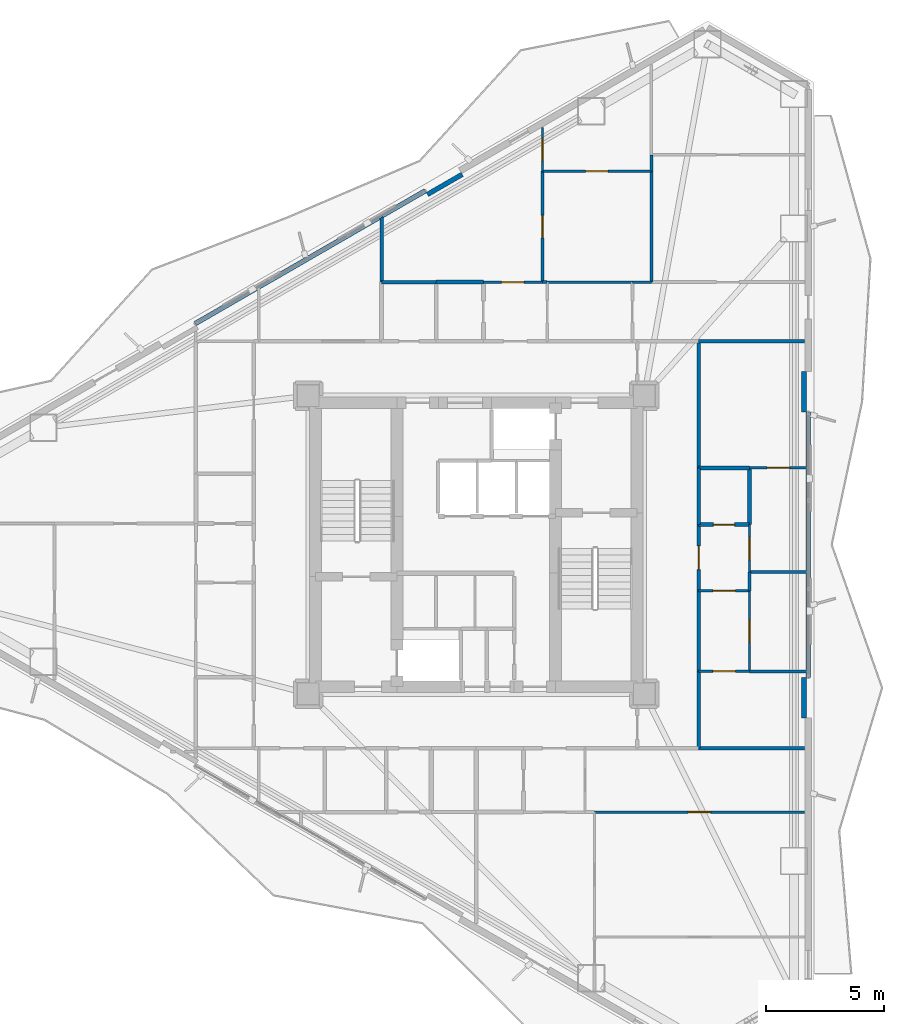
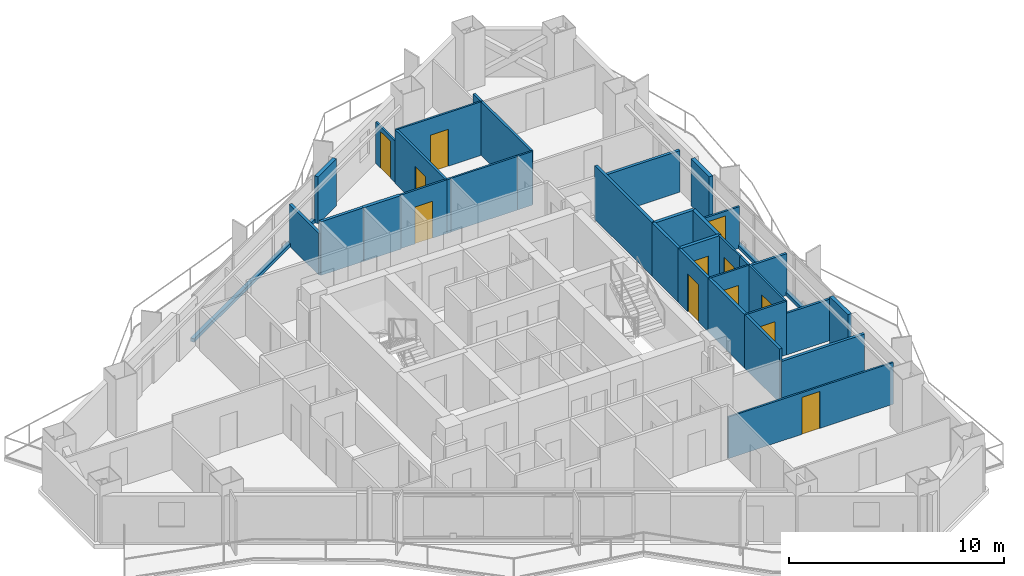
# One storey, part 19 of 23: 36 walls, 12 doors, 12 openings.
"""IFC4 building model written with IfcOpenShell, lengths in metres."""

from ifc_helpers import new_model, si_unit, direction, frame, frame_2d, origin, place, context, subcontext, project, spatial, rectangle, extrude, material, layer, layer_set, type_object, element, fill, save


model = new_model("IFC4")

# Units and contexts
model_context = context("Model", 3, precision=1e-05, world=origin(), true_north=direction((0.0, 1.0)))
body_context = subcontext(model_context, "Body", "Model", "MODEL_VIEW")
ifc_project = project(units=[si_unit("LENGTHUNIT", "METRE"), si_unit("AREAUNIT", "SQUARE_METRE"), si_unit("VOLUMEUNIT", "CUBIC_METRE"), si_unit("PLANEANGLEUNIT", "RADIAN"), si_unit("MASSUNIT", "GRAM", prefix="KILO")], contexts=[model_context])

# Site, building, storey
site_placement = place(None, origin())
site = spatial("IfcSite", under=ifc_project, at=site_placement, CompositionType="ELEMENT")
building_placement = place(site_placement, origin())
building = spatial("IfcBuilding", under=site, at=building_placement, Name="Mersakhor Tower and Convention Hall", CompositionType="ELEMENT")
storey_placement = place(building_placement, frame((0.0, 0.0, 73.5)))
storey = spatial("IfcBuildingStorey", under=building, at=storey_placement, Name="L19", CompositionType="ELEMENT", Elevation=73.5)

# Walls
ifc_material_1 = material(Name="Precast concrete C40/50", Category="concrete")
ifc_layer_1 = layer(ifc_material_1, 0.199951171875)
ifc_layer_set_1 = layer_set([ifc_layer_1], Name="Precast concrete C40/50")
wall_type_1 = type_object("IfcWallType", Name="WL-PAR-200", PredefinedType="PARAPET", material=ifc_layer_set_1)
wall_1_placement = place(storey_placement, frame((17.1201171875, 36.096923828125, 0.0), z_axis=(0.0, 0.0, 1.0), x_axis=(0.866027010039, 0.499997217876, 0.0)))
element("IfcWall", 1, at=wall_1_placement, inside=storey, type_object=wall_type_1, Name="L19 Curtain Wall Upstand Sill F1-B2", PredefinedType="PARAPET", context=body_context, shape_type="SweptSolid", body=[
    extrude(rectangle(XDim=11.2294921875, YDim=0.199951171875, at=frame_2d((5.61474609375, 0.0))), origin(), (0.0, 0.0, 1.0), 0.199951171875),
])
wall_2_placement = place(storey_placement, frame((26.935302734375, 41.555908203125, 0.0), z_axis=(0.0, 0.0, 1.0), x_axis=(0.86605165483, 0.499954529098, 0.0)))
element("IfcWall", 2, at=wall_2_placement, inside=storey, type_object=wall_type_1, Name="L19 Column Pier Cladding Wall F1-C2", PredefinedType="PARAPET", context=body_context, shape_type="SweptSolid", body=[
    extrude(rectangle(XDim=1.699951171875, YDim=0.199951171875, at=frame_2d((0.85009765625, 0.0))), origin(), (0.0, 0.0, 1.0), 2.669921875),
])
wall_3_placement = place(storey_placement, frame((43.03466796875, 32.36474609375, 0.0), z_axis=(0.0, 0.0, 1.0), x_axis=(0.0, -1.0, 0.0)))
element("IfcWall", 3, at=wall_3_placement, inside=storey, type_object=wall_type_1, Name="L19 Curtain Wall Upstand Sill F2-B2", PredefinedType="PARAPET", context=body_context, shape_type="SweptSolid", body=[
    extrude(rectangle(XDim=11.2294921875, YDim=0.199951171875, at=frame_2d((5.61474609375, 0.0))), origin(), (0.0, 0.0, 1.0), 0.199951171875),
])
for number, where, z_axis, x_axis, name in (
    (4, (42.8544921875, 34.064697265625, 0.0), (0.0, 0.0, 1.0), (0.0, -1.0, 0.0), "L19 Column Pier Cladding Wall F2-C1"),
    (5, (42.8544921875, 21.13525390625, 0.0), (0.0, 0.0, 1.0), (0.0, -1.0, 0.0), "L19 Column Pier Cladding Wall F2-C2"),
):
    element("IfcWall", number, at=place(storey_placement, frame(where, z_axis=z_axis, x_axis=x_axis)), inside=storey, type_object=wall_type_1, Name=name, PredefinedType="PARAPET", context=body_context, shape_type="SweptSolid", body=[
        extrude(rectangle(XDim=1.699951171875, YDim=0.199951171875, at=frame_2d((0.85009765625, 0.0))), origin(), (0.0, 0.0, 1.0), 2.669921875),
    ])

# Wall, opening, door
ifc_material_2 = material(Name="Moisture-resistant acoustic drywall studwork", Category="other")
ifc_layer_2 = layer(ifc_material_2, 0.175048828125)
ifc_layer_set_2 = layer_set([ifc_layer_2], Name="Moisture-resistant acoustic drywall studwork")
wall_type_2 = type_object("IfcWallType", Name="WL-PLM-175", PredefinedType="PLUMBINGWALL", material=ifc_layer_set_2)
wall_4_placement = place(storey_placement, frame((38.39990234375, 27.60009765625, 0.0), z_axis=(0.0, 0.0, 1.0), x_axis=(1.0, 0.0, 0.0)))
wall_4 = element("IfcWall", 6, at=wall_4_placement, inside=storey, type_object=wall_type_2, Name="L19 Interior Partition Wall P-079", PredefinedType="PLUMBINGWALL", context=body_context, shape_type="SweptSolid", body=[
    extrude(rectangle(XDim=2.150146484375, YDim=0.175048828125, at=frame_2d((1.0751953125, 0.0))), origin(), (0.0, 0.0, 1.0), 3.050048828125),
])
opening_1_placement = place(wall_4_placement, frame((0.625, 0.0, 0.0)))
opening_1 = element("IfcOpeningElement", 7, at=opening_1_placement, cuts=wall_4, Name="Opening WD-01", PredefinedType="OPENING", context=body_context, shape_type="SweptSolid", body=[
    extrude(rectangle(XDim=0.89990234375, YDim=2.10009765625, at=frame_2d((0.449951171875, 1.050048828125))), frame((0.0, 0.097412109375, 0.0), z_axis=(0.0, -1.0, 0.0), x_axis=(1.0, 0.0, 0.0)), (0.0, 0.0, 1.0), 0.195068359375),
])
ifc_material_3 = material(Name="Solid-core hardwood leaf in painted steel frame", Category="steel")
door_type_1 = type_object("IfcDoorType", Name="DR-INT-WET-090x210", OperationType="NOTDEFINED", PredefinedType="DOOR", material=ifc_material_3)
door_1_placement = place(opening_1_placement, origin())
door_1 = element("IfcDoor", 8, at=door_1_placement, inside=storey, type_object=door_type_1, Name="L19 L19 Flat E5 Apartment Hall to L19 Flat E5 Bathroom Door", OperationType="SINGLE_SWING_RIGHT", OverallHeight=2.10009765625, OverallWidth=0.89990234375, PredefinedType="DOOR", context=body_context, shape_type="SweptSolid", body=[
    extrude(rectangle(XDim=0.89990234375, YDim=2.10009765625, at=frame_2d((0.449951171875, 1.050048828125))), frame((0.0, 0.02490234375, 0.0), z_axis=(0.0, -1.0, 0.0), x_axis=(1.0, 0.0, 0.0)), (0.0, 0.0, 1.0), 0.050048828125),
])
fill(opening_1, door_1)

# Walls
wall_5_placement = place(storey_placement, frame((27.300048828125, 37.85009765625, 0.0), z_axis=(0.0, 0.0, 1.0), x_axis=(1.0, 0.0, 0.0)))
element("IfcWall", 9, at=wall_5_placement, inside=storey, type_object=wall_type_2, Name="L19 Interior Partition Wall P-083", PredefinedType="PLUMBINGWALL", context=body_context, shape_type="SweptSolid", body=[
    extrude(rectangle(XDim=2.0, YDim=0.175048828125, at=frame_2d((1.0, 0.0))), origin(), (0.0, 0.0, 1.0), 3.050048828125),
])
wall_6_placement = place(storey_placement, frame((40.550048828125, 30.0, 0.0), z_axis=(0.0, 0.0, 1.0), x_axis=(0.0, -1.0, 0.0)))
element("IfcWall", 10, at=wall_6_placement, inside=storey, type_object=wall_type_2, Name="L19 Interior Partition Wall P-098", PredefinedType="PLUMBINGWALL", context=body_context, shape_type="SweptSolid", body=[
    extrude(rectangle(XDim=2.39990234375, YDim=0.175048828125, at=frame_2d((1.199951171875, 0.0))), origin(), (0.0, 0.0, 1.0), 3.050048828125),
])
wall_7_placement = place(storey_placement, frame((38.39990234375, 30.0, 0.0), z_axis=(0.0, 0.0, 1.0), x_axis=(1.0, 0.0, 0.0)))
element("IfcWall", 11, at=wall_7_placement, inside=storey, type_object=wall_type_2, Name="L19 Interior Partition Wall P-099", PredefinedType="PLUMBINGWALL", context=body_context, shape_type="SweptSolid", body=[
    extrude(rectangle(XDim=2.150146484375, YDim=0.175048828125, at=frame_2d((1.0751953125, 0.0))), origin(), (0.0, 0.0, 1.0), 3.050048828125),
])

# Wall, opening, door
ifc_material_4 = material(Name="Lightweight gypsum partition", Category="other")
ifc_layer_3 = layer(ifc_material_4, 0.10009765625)
ifc_layer_set_3 = layer_set([ifc_layer_3], Name="Lightweight gypsum partition")
wall_type_3 = type_object("IfcWallType", Name="WL-PRT-100", PredefinedType="PARTITIONING", material=ifc_layer_set_3)
wall_8_placement = place(storey_placement, frame((29.300048828125, 37.85009765625, 0.0), z_axis=(0.0, 0.0, 1.0), x_axis=(1.0, 0.0, 0.0)))
wall_8 = element("IfcWall", 12, at=wall_8_placement, inside=storey, type_object=wall_type_3, Name="L19 Interior Partition Wall P-066", PredefinedType="PARTITIONING", context=body_context, shape_type="SweptSolid", body=[
    extrude(rectangle(XDim=2.5, YDim=0.10009765625, at=frame_2d((1.25, 0.0))), origin(), (0.0, 0.0, 1.0), 3.050048828125),
])
opening_2_placement = place(wall_8_placement, frame((0.77490234375, 0.0, 0.0)))
opening_2 = element("IfcOpeningElement", 13, at=opening_2_placement, cuts=wall_8, Name="Opening RD-01", PredefinedType="OPENING", context=body_context, shape_type="SweptSolid", body=[
    extrude(rectangle(XDim=0.949951171875, YDim=2.10009765625, at=frame_2d((0.47509765625, 1.050048828125))), frame((0.0, 0.06005859375, 0.0), z_axis=(0.0, -1.0, 0.0), x_axis=(1.0, 0.0, 0.0)), (0.0, 0.0, 1.0), 0.1201171875),
])
ifc_material_5 = material(Name="Solid-core hardwood leaf in painted steel frame", Category="steel")
door_type_2 = type_object("IfcDoorType", Name="DR-INT-RM-095x210", OperationType="NOTDEFINED", PredefinedType="DOOR", material=ifc_material_5)
door_2_placement = place(opening_2_placement, origin())
door_2 = element("IfcDoor", 14, at=door_2_placement, inside=storey, type_object=door_type_2, Name="L19 L19 Flat N1 Apartment Hall to L19 Flat N1 Living and Dining Room Door", OperationType="SINGLE_SWING_LEFT", OverallHeight=2.10009765625, OverallWidth=0.949951171875, PredefinedType="DOOR", context=body_context, shape_type="SweptSolid", body=[
    extrude(rectangle(XDim=0.949951171875, YDim=2.10009765625, at=frame_2d((0.47509765625, 1.050048828125))), frame((0.0, 0.02490234375, 0.0), z_axis=(0.0, -1.0, 0.0), x_axis=(1.0, 0.0, 0.0)), (0.0, 0.0, 1.0), 0.050048828125),
])
fill(opening_2, door_2)

wall_9_placement = place(storey_placement, frame((40.550048828125, 27.60009765625, 0.0), z_axis=(0.0, 0.0, 1.0), x_axis=(0.0, -1.0, 0.0)))
wall_9 = element("IfcWall", 15, at=wall_9_placement, inside=storey, type_object=wall_type_3, Name="L19 Interior Partition Wall P-076", PredefinedType="PARTITIONING", context=body_context, shape_type="SweptSolid", body=[
    extrude(rectangle(XDim=2.0, YDim=0.10009765625, at=frame_2d((1.0, 0.0))), origin(), (0.0, 0.0, 1.0), 3.050048828125),
])
opening_3_placement = place(wall_9_placement, frame((0.52490234375, 0.0, 0.0)))
opening_3 = element("IfcOpeningElement", 16, at=opening_3_placement, cuts=wall_9, Name="Opening RD-01", PredefinedType="OPENING", context=body_context, shape_type="SweptSolid", body=[
    extrude(rectangle(XDim=0.949951171875, YDim=2.10009765625, at=frame_2d((0.47509765625, 1.050048828125))), frame((0.0, 0.06005859375, 0.0), z_axis=(0.0, -1.0, 0.0), x_axis=(1.0, 0.0, 0.0)), (0.0, 0.0, 1.0), 0.1201171875),
])
door_3_placement = place(opening_3_placement, origin())
door_3 = element("IfcDoor", 17, at=door_3_placement, inside=storey, type_object=door_type_2, Name="L19 L19 Flat E5 Apartment Hall to L19 Flat E5 Master Bedroom Door", OperationType="SINGLE_SWING_LEFT", OverallHeight=2.10009765625, OverallWidth=0.949951171875, PredefinedType="DOOR", context=body_context, shape_type="SweptSolid", body=[
    extrude(rectangle(XDim=0.949951171875, YDim=2.10009765625, at=frame_2d((0.47509765625, 1.050048828125))), frame((0.0, 0.02490234375, 0.0), z_axis=(0.0, -1.0, 0.0), x_axis=(1.0, 0.0, 0.0)), (0.0, 0.0, 1.0), 0.050048828125),
])
fill(opening_3, door_3)

wall_10_placement = place(storey_placement, frame((40.550048828125, 24.800048828125, 0.0), z_axis=(0.0, 0.0, 1.0), x_axis=(-1.0, 0.0, 0.0)))
wall_10 = element("IfcWall", 18, at=wall_10_placement, inside=storey, type_object=wall_type_3, Name="L19 Interior Partition Wall P-078", PredefinedType="PARTITIONING", context=body_context, shape_type="SweptSolid", body=[
    extrude(rectangle(XDim=2.150146484375, YDim=0.10009765625, at=frame_2d((1.0751953125, 0.0))), origin(), (0.0, 0.0, 1.0), 3.050048828125),
])
opening_4_placement = place(wall_10_placement, frame((0.60009765625, 0.0, 0.0)))
opening_4 = element("IfcOpeningElement", 19, at=opening_4_placement, cuts=wall_10, Name="Opening RD-01", PredefinedType="OPENING", context=body_context, shape_type="SweptSolid", body=[
    extrude(rectangle(XDim=0.949951171875, YDim=2.10009765625, at=frame_2d((0.47509765625, 1.050048828125))), frame((0.0, 0.06005859375, 0.0), z_axis=(0.0, -1.0, 0.0), x_axis=(1.0, 0.0, 0.0)), (0.0, 0.0, 1.0), 0.1201171875),
])
door_4_placement = place(opening_4_placement, origin())
door_4 = element("IfcDoor", 20, at=door_4_placement, inside=storey, type_object=door_type_2, Name="L19 L19 Flat E5 Apartment Hall to L19 Flat E5 Dining Alcove Door", OperationType="SINGLE_SWING_RIGHT", OverallHeight=2.10009765625, OverallWidth=0.949951171875, PredefinedType="DOOR", context=body_context, shape_type="SweptSolid", body=[
    extrude(rectangle(XDim=0.949951171875, YDim=2.10009765625, at=frame_2d((0.47509765625, 1.050048828125))), frame((0.0, 0.02490234375, 0.0), z_axis=(0.0, -1.0, 0.0), x_axis=(1.0, 0.0, 0.0)), (0.0, 0.0, 1.0), 0.050048828125),
])
fill(opening_4, door_4)

# Wall
wall_11_placement = place(storey_placement, frame((32.0, 37.85009765625, 0.0), z_axis=(0.0, 0.0, 1.0), x_axis=(1.0, 0.0, 0.0)))
element("IfcWall", 21, at=wall_11_placement, inside=storey, type_object=wall_type_3, Name="L19 Interior Partition Wall P-084", PredefinedType="PARTITIONING", context=body_context, shape_type="SweptSolid", body=[
    extrude(rectangle(XDim=3.60009765625, YDim=0.10009765625, at=frame_2d((1.800048828125, 0.0))), origin(), (0.0, 0.0, 1.0), 3.050048828125),
])

# Wall, opening, door
wall_12_placement = place(storey_placement, frame((42.873046875, 15.449951171875, 0.0), z_axis=(0.0, 0.0, 1.0), x_axis=(-1.0, 0.0, 0.0)))
wall_12 = element("IfcWall", 22, at=wall_12_placement, inside=storey, type_object=wall_type_3, Name="L19 Interior Partition Wall P-092", PredefinedType="PARTITIONING", context=body_context, shape_type="SweptSolid", body=[
    extrude(rectangle(XDim=8.873046875, YDim=0.10009765625, at=frame_2d((4.4365234375, 0.0))), origin(), (0.0, 0.0, 1.0), 2.364990234375),
])
opening_5_placement = place(wall_12_placement, frame((3.961669921875, 0.0, 0.0)))
opening_5 = element("IfcOpeningElement", 23, at=opening_5_placement, cuts=wall_12, Name="Opening RD-01", PredefinedType="OPENING", context=body_context, shape_type="SweptSolid", body=[
    extrude(rectangle(XDim=0.949951171875, YDim=2.10009765625, at=frame_2d((0.47509765625, 1.050048828125))), frame((0.0, 0.06005859375, 0.0), z_axis=(0.0, -1.0, 0.0), x_axis=(1.0, 0.0, 0.0)), (0.0, 0.0, 1.0), 0.1201171875),
])
door_5_placement = place(opening_5_placement, origin())
door_5 = element("IfcDoor", 24, at=door_5_placement, inside=storey, type_object=door_type_2, Name="L19 L19 Flat S3 Kitchen to L19 Flat S3 Dining Room Door", OperationType="SINGLE_SWING_LEFT", OverallHeight=2.10009765625, OverallWidth=0.949951171875, PredefinedType="DOOR", context=body_context, shape_type="SweptSolid", body=[
    extrude(rectangle(XDim=0.949951171875, YDim=2.10009765625, at=frame_2d((0.47509765625, 1.050048828125))), frame((0.0, 0.02490234375, 0.0), z_axis=(0.0, -1.0, 0.0), x_axis=(1.0, 0.0, 0.0)), (0.0, 0.0, 1.0), 0.050048828125),
])
fill(opening_5, door_5)

wall_13_placement = place(storey_placement, frame((38.39990234375, 21.39990234375, 0.0), z_axis=(0.0, 0.0, 1.0), x_axis=(1.0, 0.0, 0.0)))
wall_13 = element("IfcWall", 25, at=wall_13_placement, inside=storey, type_object=wall_type_3, Name="L19 Interior Partition Wall P-100", PredefinedType="PARTITIONING", context=body_context, shape_type="SweptSolid", body=[
    extrude(rectangle(XDim=2.150146484375, YDim=0.10009765625, at=frame_2d((1.0751953125, 0.0))), origin(), (0.0, 0.0, 1.0), 3.050048828125),
])
opening_6_placement = place(wall_13_placement, frame((0.60009765625, 0.0, 0.0)))
opening_6 = element("IfcOpeningElement", 26, at=opening_6_placement, cuts=wall_13, Name="Opening RD-01", PredefinedType="OPENING", context=body_context, shape_type="SweptSolid", body=[
    extrude(rectangle(XDim=0.949951171875, YDim=2.10009765625, at=frame_2d((0.47509765625, 1.050048828125))), frame((0.0, 0.06005859375, 0.0), z_axis=(0.0, -1.0, 0.0), x_axis=(1.0, 0.0, 0.0)), (0.0, 0.0, 1.0), 0.1201171875),
])
door_6_placement = place(opening_6_placement, origin())
door_6 = element("IfcDoor", 27, at=door_6_placement, inside=storey, type_object=door_type_2, Name="L19 L19 Flat E5 Kitchen to L19 Flat E5 Dining Alcove Door", OperationType="SINGLE_SWING_LEFT", OverallHeight=2.10009765625, OverallWidth=0.949951171875, PredefinedType="DOOR", context=body_context, shape_type="SweptSolid", body=[
    extrude(rectangle(XDim=0.949951171875, YDim=2.10009765625, at=frame_2d((0.47509765625, 1.050048828125))), frame((0.0, 0.02490234375, 0.0), z_axis=(0.0, -1.0, 0.0), x_axis=(1.0, 0.0, 0.0)), (0.0, 0.0, 1.0), 0.050048828125),
])
fill(opening_6, door_6)

# Wall
wall_14_placement = place(storey_placement, frame((35.60009765625, 37.85009765625, 0.0), z_axis=(0.0, 0.0, 1.0), x_axis=(1.0, 0.0, 0.0)))
element("IfcWall", 28, at=wall_14_placement, inside=storey, type_object=wall_type_3, Name="L19 Interior Partition Wall P-110", PredefinedType="PARTITIONING", context=body_context, shape_type="SweptSolid", body=[
    extrude(rectangle(XDim=0.7998046875, YDim=0.10009765625, at=frame_2d((0.39990234375, 0.0))), origin(), (0.0, 0.0, 1.0), 3.050048828125),
])

# Wall, opening, door
wall_15_placement = place(storey_placement, frame((31.800048828125, 44.3857421875, 0.0), z_axis=(0.0, 0.0, 1.0), x_axis=(0.0, -1.0, 0.0)))
wall_15 = element("IfcWall", 29, at=wall_15_placement, inside=storey, type_object=wall_type_3, Name="L19 Interior Partition Wall P-112", PredefinedType="PARTITIONING", context=body_context, shape_type="SweptSolid", body=[
    extrude(rectangle(XDim=1.845703125, YDim=0.10009765625, at=frame_2d((0.9228515625, 0.0))), origin(), (0.0, 0.0, 1.0), 2.364990234375),
])
opening_7_placement = place(wall_15_placement, frame((0.447998046875, 0.0, 0.0)))
opening_7 = element("IfcOpeningElement", 30, at=opening_7_placement, cuts=wall_15, Name="Opening RD-01", PredefinedType="OPENING", context=body_context, shape_type="SweptSolid", body=[
    extrude(rectangle(XDim=0.949951171875, YDim=2.10009765625, at=frame_2d((0.47509765625, 1.050048828125))), frame((0.0, 0.06005859375, 0.0), z_axis=(0.0, -1.0, 0.0), x_axis=(1.0, 0.0, 0.0)), (0.0, 0.0, 1.0), 0.1201171875),
])
door_7_placement = place(opening_7_placement, origin())
door_7 = element("IfcDoor", 31, at=door_7_placement, inside=storey, type_object=door_type_2, Name="L19 L19 Flat N1 Living and Dining Room to L19 Flat N1 Study Room Door", OperationType="SINGLE_SWING_RIGHT", OverallHeight=2.10009765625, OverallWidth=0.949951171875, PredefinedType="DOOR", context=body_context, shape_type="SweptSolid", body=[
    extrude(rectangle(XDim=0.949951171875, YDim=2.10009765625, at=frame_2d((0.47509765625, 1.050048828125))), frame((0.0, 0.02490234375, 0.0), z_axis=(0.0, -1.0, 0.0), x_axis=(1.0, 0.0, 0.0)), (0.0, 0.0, 1.0), 0.050048828125),
])
fill(opening_7, door_7)

wall_16_placement = place(storey_placement, frame((31.800048828125, 42.5400390625, 0.0), z_axis=(0.0, 0.0, 1.0), x_axis=(1.0, 0.0, 0.0)))
wall_16 = element("IfcWall", 32, at=wall_16_placement, inside=storey, type_object=wall_type_3, Name="L19 Interior Partition Wall P-114", PredefinedType="PARTITIONING", context=body_context, shape_type="SweptSolid", body=[
    extrude(rectangle(XDim=4.599853515625, YDim=0.10009765625, at=frame_2d((2.2998046875, 0.0))), origin(), (0.0, 0.0, 1.0), 3.050048828125),
])
opening_8_placement = place(wall_16_placement, frame((1.824951171875, 0.0, 0.0)))
opening_8 = element("IfcOpeningElement", 33, at=opening_8_placement, cuts=wall_16, Name="Opening RD-01", PredefinedType="OPENING", context=body_context, shape_type="SweptSolid", body=[
    extrude(rectangle(XDim=0.949951171875, YDim=2.10009765625, at=frame_2d((0.47509765625, 1.050048828125))), frame((0.0, 0.06005859375, 0.0), z_axis=(0.0, -1.0, 0.0), x_axis=(1.0, 0.0, 0.0)), (0.0, 0.0, 1.0), 0.1201171875),
])
door_8_placement = place(opening_8_placement, origin())
door_8 = element("IfcDoor", 34, at=door_8_placement, inside=storey, type_object=door_type_2, Name="L19 L19 Flat N1 Bedroom 1 to L19 Flat N1 Study Room Door", OperationType="SINGLE_SWING_LEFT", OverallHeight=2.10009765625, OverallWidth=0.949951171875, PredefinedType="DOOR", context=body_context, shape_type="SweptSolid", body=[
    extrude(rectangle(XDim=0.949951171875, YDim=2.10009765625, at=frame_2d((0.47509765625, 1.050048828125))), frame((0.0, 0.02490234375, 0.0), z_axis=(0.0, -1.0, 0.0), x_axis=(1.0, 0.0, 0.0)), (0.0, 0.0, 1.0), 0.050048828125),
])
fill(opening_8, door_8)

wall_17_placement = place(storey_placement, frame((42.99853515625, 30.0, 0.0), z_axis=(0.0, 0.0, 1.0), x_axis=(-1.0, 0.0, 0.0)))
wall_17 = element("IfcWall", 35, at=wall_17_placement, inside=storey, type_object=wall_type_3, Name="L19 Interior Partition Wall P-138", PredefinedType="PARTITIONING", context=body_context, shape_type="SweptSolid", body=[
    extrude(rectangle(XDim=2.448486328125, YDim=0.10009765625, at=frame_2d((1.22412109375, 0.0))), origin(), (0.0, 0.0, 1.0), 2.364990234375),
])
opening_9_placement = place(wall_17_placement, frame((0.749267578125, 0.0, 0.0)))
opening_9 = element("IfcOpeningElement", 36, at=opening_9_placement, cuts=wall_17, Name="Opening RD-01", PredefinedType="OPENING", context=body_context, shape_type="SweptSolid", body=[
    extrude(rectangle(XDim=0.949951171875, YDim=2.10009765625, at=frame_2d((0.47509765625, 1.050048828125))), frame((0.0, 0.06005859375, 0.0), z_axis=(0.0, -1.0, 0.0), x_axis=(1.0, 0.0, 0.0)), (0.0, 0.0, 1.0), 0.1201171875),
])
door_9_placement = place(opening_9_placement, origin())
door_9 = element("IfcDoor", 37, at=door_9_placement, inside=storey, type_object=door_type_2, Name="L19 L19 Flat E5 Living and Dining Room to L19 Flat E5 Master Bedroom Door", OperationType="SINGLE_SWING_LEFT", OverallHeight=2.10009765625, OverallWidth=0.949951171875, PredefinedType="DOOR", context=body_context, shape_type="SweptSolid", body=[
    extrude(rectangle(XDim=0.949951171875, YDim=2.10009765625, at=frame_2d((0.47509765625, 1.050048828125))), frame((0.0, 0.02490234375, 0.0), z_axis=(0.0, -1.0, 0.0), x_axis=(1.0, 0.0, 0.0)), (0.0, 0.0, 1.0), 0.050048828125),
])
fill(opening_9, door_9)

wall_18_placement = place(storey_placement, frame((40.550048828125, 21.39990234375, 0.0), z_axis=(0.0, 0.0, 1.0), x_axis=(0.0, 1.0, 0.0)))
wall_18 = element("IfcWall", 38, at=wall_18_placement, inside=storey, type_object=wall_type_3, Name="L19 Interior Partition Wall P-140", PredefinedType="PARTITIONING", context=body_context, shape_type="SweptSolid", body=[
    extrude(rectangle(XDim=3.400146484375, YDim=0.10009765625, at=frame_2d((1.7001953125, 0.0))), origin(), (0.0, 0.0, 1.0), 3.050048828125),
])
opening_10_placement = place(wall_18_placement, frame((1.22509765625, 0.0, 0.0)))
opening_10 = element("IfcOpeningElement", 39, at=opening_10_placement, cuts=wall_18, Name="Opening RD-01", PredefinedType="OPENING", context=body_context, shape_type="SweptSolid", body=[
    extrude(rectangle(XDim=0.949951171875, YDim=2.10009765625, at=frame_2d((0.47509765625, 1.050048828125))), frame((0.0, 0.06005859375, 0.0), z_axis=(0.0, -1.0, 0.0), x_axis=(1.0, 0.0, 0.0)), (0.0, 0.0, 1.0), 0.1201171875),
])
door_10_placement = place(opening_10_placement, origin())
door_10 = element("IfcDoor", 40, at=door_10_placement, inside=storey, type_object=door_type_2, Name="L19 L19 Flat E5 Bedroom 2 to L19 Flat E5 Dining Alcove Door", OperationType="SINGLE_SWING_RIGHT", OverallHeight=2.10009765625, OverallWidth=0.949951171875, PredefinedType="DOOR", context=body_context, shape_type="SweptSolid", body=[
    extrude(rectangle(XDim=0.949951171875, YDim=2.10009765625, at=frame_2d((0.47509765625, 1.050048828125))), frame((0.0, 0.02490234375, 0.0), z_axis=(0.0, -1.0, 0.0), x_axis=(1.0, 0.0, 0.0)), (0.0, 0.0, 1.0), 0.050048828125),
])
fill(opening_10, door_10)

# Walls
ifc_material_6 = material(Name="Gypsum board acoustic partition", Category="other")
ifc_layer_4 = layer(ifc_material_6, 0.125)
ifc_layer_set_4 = layer_set([ifc_layer_4], Name="Gypsum board acoustic partition")
wall_type_4 = type_object("IfcWallType", Name="WL-PRT-125", PredefinedType="PARTITIONING", material=ifc_layer_set_4)
wall_19_placement = place(storey_placement, frame((31.800048828125, 37.85009765625, 0.0), z_axis=(0.0, 0.0, 1.0), x_axis=(1.0, 0.0, 0.0)))
element("IfcWall", 41, at=wall_19_placement, inside=storey, type_object=wall_type_4, Name="L19 Interior Partition Wall P-067", PredefinedType="PARTITIONING", context=body_context, shape_type="SweptSolid", body=[
    extrude(rectangle(XDim=0.199951171875, YDim=0.125, at=frame_2d((0.10009765625, 0.0))), origin(), (0.0, 0.0, 1.0), 3.050048828125),
])
wall_20_placement = place(storey_placement, frame((40.550048828125, 25.60009765625, 0.0), z_axis=(0.0, 0.0, 1.0), x_axis=(0.0, -1.0, 0.0)))
element("IfcWall", 42, at=wall_20_placement, inside=storey, type_object=wall_type_4, Name="L19 Interior Partition Wall P-077", PredefinedType="PARTITIONING", context=body_context, shape_type="SweptSolid", body=[
    extrude(rectangle(XDim=0.800048828125, YDim=0.125, at=frame_2d((0.39990234375, 0.0))), origin(), (0.0, 0.0, 1.0), 3.050048828125),
])
wall_21_placement = place(storey_placement, frame((40.550048828125, 21.39990234375, 0.0), z_axis=(0.0, 0.0, 1.0), x_axis=(1.0, 0.0, 0.0)))
element("IfcWall", 43, at=wall_21_placement, inside=storey, type_object=wall_type_4, Name="L19 Interior Partition Wall P-101", PredefinedType="PARTITIONING", context=body_context, shape_type="SweptSolid", body=[
    extrude(rectangle(XDim=2.448486328125, YDim=0.125, at=frame_2d((1.22412109375, 0.0))), origin(), (0.0, 0.0, 1.0), 2.364990234375),
])

# Wall, opening, door
wall_22_placement = place(storey_placement, frame((31.800048828125, 42.5400390625, 0.0), z_axis=(0.0, 0.0, 1.0), x_axis=(0.0, -1.0, 0.0)))
wall_22 = element("IfcWall", 44, at=wall_22_placement, inside=storey, type_object=wall_type_4, Name="L19 Interior Partition Wall P-113", PredefinedType="PARTITIONING", context=body_context, shape_type="SweptSolid", body=[
    extrude(rectangle(XDim=4.68994140625, YDim=0.125, at=frame_2d((2.344970703125, 0.0))), origin(), (0.0, 0.0, 1.0), 3.050048828125),
])
opening_11_placement = place(wall_22_placement, frame((1.8701171875, 0.0, 0.0)))
opening_11 = element("IfcOpeningElement", 45, at=opening_11_placement, cuts=wall_22, Name="Opening RD-01", PredefinedType="OPENING", context=body_context, shape_type="SweptSolid", body=[
    extrude(rectangle(XDim=0.949951171875, YDim=2.10009765625, at=frame_2d((0.47509765625, 1.050048828125))), frame((0.0, 0.072509765625, 0.0), z_axis=(0.0, -1.0, 0.0), x_axis=(1.0, 0.0, 0.0)), (0.0, 0.0, 1.0), 0.14501953125),
])
door_11_placement = place(opening_11_placement, origin())
door_11 = element("IfcDoor", 46, at=door_11_placement, inside=storey, type_object=door_type_2, Name="L19 L19 Flat N1 Living and Dining Room to L19 Flat N1 Bedroom 1 Door", OperationType="SINGLE_SWING_LEFT", OverallHeight=2.10009765625, OverallWidth=0.949951171875, PredefinedType="DOOR", context=body_context, shape_type="SweptSolid", body=[
    extrude(rectangle(XDim=0.949951171875, YDim=2.10009765625, at=frame_2d((0.47509765625, 1.050048828125))), frame((0.0, 0.02490234375, 0.0), z_axis=(0.0, -1.0, 0.0), x_axis=(1.0, 0.0, 0.0)), (0.0, 0.0, 1.0), 0.050048828125),
])
fill(opening_11, door_11)

# Walls
wall_23_placement = place(storey_placement, frame((36.39990234375, 42.5400390625, 0.0), z_axis=(0.0, 0.0, 1.0), x_axis=(0.0, -1.0, 0.0)))
element("IfcWall", 47, at=wall_23_placement, inside=storey, type_object=wall_type_4, Name="L19 Interior Partition Wall P-115", PredefinedType="PARTITIONING", context=body_context, shape_type="SweptSolid", body=[
    extrude(rectangle(XDim=4.68994140625, YDim=0.125, at=frame_2d((2.344970703125, 0.0))), origin(), (0.0, 0.0, 1.0), 3.050048828125),
])
wall_24_placement = place(storey_placement, frame((36.39990234375, 43.22998046875, 0.0), z_axis=(0.0, 0.0, 1.0), x_axis=(0.0, -1.0, 0.0)))
element("IfcWall", 48, at=wall_24_placement, inside=storey, type_object=wall_type_4, Name="L19 Interior Partition Wall P-117", PredefinedType="PARTITIONING", context=body_context, shape_type="SweptSolid", body=[
    extrude(rectangle(XDim=0.68994140625, YDim=0.125, at=frame_2d((0.344970703125, 0.0))), origin(), (0.0, 0.0, 1.0), 3.050048828125),
])
wall_25_placement = place(storey_placement, frame((42.99853515625, 25.60009765625, 0.0), z_axis=(0.0, 0.0, 1.0), x_axis=(-1.0, 0.0, 0.0)))
element("IfcWall", 49, at=wall_25_placement, inside=storey, type_object=wall_type_4, Name="L19 Interior Partition Wall P-139", PredefinedType="PARTITIONING", context=body_context, shape_type="SweptSolid", body=[
    extrude(rectangle(XDim=2.448486328125, YDim=0.125, at=frame_2d((1.22412109375, 0.0))), origin(), (0.0, 0.0, 1.0), 2.364990234375),
])
ifc_material_7 = material(Name="Fire-rated gypsum board stud partition", Category="other")
ifc_layer_5 = layer(ifc_material_7, 0.14990234375)
ifc_layer_set_5 = layer_set([ifc_layer_5], Name="Fire-rated gypsum board stud partition")
wall_type_5 = type_object("IfcWallType", Name="WL-PRT-150", PredefinedType="PARTITIONING", material=ifc_layer_set_5)
wall_26_placement = place(storey_placement, frame((38.39990234375, 35.35009765625, 0.0), z_axis=(0.0, 0.0, 1.0), x_axis=(0.0, -1.0, 0.0)))
element("IfcWall", 50, at=wall_26_placement, inside=storey, type_object=wall_type_5, Name="L19 Interior Partition Wall P-058", PredefinedType="PARTITIONING", context=body_context, shape_type="SweptSolid", body=[
    extrude(rectangle(XDim=5.35009765625, YDim=0.14990234375, at=frame_2d((2.675048828125, 0.0))), origin(), (0.0, 0.0, 1.0), 3.050048828125),
])
wall_27_placement = place(storey_placement, frame((38.39990234375, 30.0, 0.0), z_axis=(0.0, 0.0, 1.0), x_axis=(0.0, -1.0, 0.0)))
element("IfcWall", 51, at=wall_27_placement, inside=storey, type_object=wall_type_5, Name="L19 Interior Partition Wall P-059", PredefinedType="PARTITIONING", context=body_context, shape_type="SweptSolid", body=[
    extrude(rectangle(XDim=2.39990234375, YDim=0.14990234375, at=frame_2d((1.199951171875, 0.0))), origin(), (0.0, 0.0, 1.0), 3.050048828125),
])

# Wall, opening, door
wall_28_placement = place(storey_placement, frame((38.39990234375, 27.60009765625, 0.0), z_axis=(0.0, 0.0, 1.0), x_axis=(0.0, -1.0, 0.0)))
wall_28 = element("IfcWall", 52, at=wall_28_placement, inside=storey, type_object=wall_type_5, Name="L19 Interior Partition Wall P-060", PredefinedType="PARTITIONING", context=body_context, shape_type="SweptSolid", body=[
    extrude(rectangle(XDim=2.800048828125, YDim=0.14990234375, at=frame_2d((1.39990234375, 0.0))), origin(), (0.0, 0.0, 1.0), 3.050048828125),
])
opening_12_placement = place(wall_28_placement, frame((0.89990234375, 0.0, 0.0)))
opening_12 = element("IfcOpeningElement", 53, at=opening_12_placement, cuts=wall_28, Name="Opening FD-01", PredefinedType="OPENING", context=body_context, shape_type="SweptSolid", body=[
    extrude(rectangle(XDim=1.0, YDim=2.14990234375, at=frame_2d((0.5, 1.074951171875))), frame((0.0, 0.0849609375, 0.0), z_axis=(0.0, -1.0, 0.0), x_axis=(1.0, 0.0, 0.0)), (0.0, 0.0, 1.0), 0.169921875),
])
ifc_material_8 = material(Name="Fire-rated hardwood leaf and painted steel frame", Category="steel")
door_type_3 = type_object("IfcDoorType", Name="DR-INT-FLT-100x215", OperationType="NOTDEFINED", PredefinedType="DOOR", material=ifc_material_8)
door_12_placement = place(opening_12_placement, origin())
door_12 = element("IfcDoor", 54, at=door_12_placement, inside=storey, type_object=door_type_3, Name="L19 Apartment Entrance Door (Residential Ring East Corridor to L19 Flat E5 Apartment Hall)", OperationType="SINGLE_SWING_RIGHT", OverallHeight=2.14990234375, OverallWidth=1.0, PredefinedType="DOOR", context=body_context, shape_type="SweptSolid", body=[
    extrude(rectangle(XDim=1.0, YDim=2.14990234375, at=frame_2d((0.5, 1.074951171875))), frame((0.0, 0.02490234375, 0.0), z_axis=(0.0, -1.0, 0.0), x_axis=(1.0, 0.0, 0.0)), (0.0, 0.0, 1.0), 0.050048828125),
])
fill(opening_12, door_12)

# Walls
wall_29_placement = place(storey_placement, frame((38.39990234375, 24.800048828125, 0.0), z_axis=(0.0, 0.0, 1.0), x_axis=(0.0, -1.0, 0.0)))
element("IfcWall", 55, at=wall_29_placement, inside=storey, type_object=wall_type_5, Name="L19 Interior Partition Wall P-061", PredefinedType="PARTITIONING", context=body_context, shape_type="SweptSolid", body=[
    extrude(rectangle(XDim=3.400146484375, YDim=0.14990234375, at=frame_2d((1.7001953125, 0.0))), origin(), (0.0, 0.0, 1.0), 3.050048828125),
])
wall_30_placement = place(storey_placement, frame((38.39990234375, 21.39990234375, 0.0), z_axis=(0.0, 0.0, 1.0), x_axis=(0.0, -1.0, 0.0)))
element("IfcWall", 56, at=wall_30_placement, inside=storey, type_object=wall_type_5, Name="L19 Interior Partition Wall P-062", PredefinedType="PARTITIONING", context=body_context, shape_type="SweptSolid", body=[
    extrude(rectangle(XDim=3.25, YDim=0.14990234375, at=frame_2d((1.625, 0.0))), origin(), (0.0, 0.0, 1.0), 3.050048828125),
])
wall_31_placement = place(storey_placement, frame((25.0, 37.85009765625, 0.0), z_axis=(0.0, 0.0, 1.0), x_axis=(1.0, 0.0, 0.0)))
element("IfcWall", 57, at=wall_31_placement, inside=storey, type_object=wall_type_5, Name="L19 Interior Partition Wall P-080", PredefinedType="PARTITIONING", context=body_context, shape_type="SweptSolid", body=[
    extrude(rectangle(XDim=2.300048828125, YDim=0.14990234375, at=frame_2d((1.14990234375, 0.0))), origin(), (0.0, 0.0, 1.0), 3.050048828125),
])
wall_32_placement = place(storey_placement, frame((38.39990234375, 18.14990234375, 0.0), z_axis=(0.0, 0.0, 1.0), x_axis=(1.0, 0.0, 0.0)))
element("IfcWall", 58, at=wall_32_placement, inside=storey, type_object=wall_type_5, Name="L19 Interior Partition Wall P-091", PredefinedType="PARTITIONING", context=body_context, shape_type="SweptSolid", body=[
    extrude(rectangle(XDim=4.47314453125, YDim=0.14990234375, at=frame_2d((2.236572265625, 0.0))), origin(), (0.0, 0.0, 1.0), 2.364990234375),
])
wall_33_placement = place(storey_placement, frame((25.0, 40.604736328125, 0.0), z_axis=(0.0, 0.0, 1.0), x_axis=(0.0, -1.0, 0.0)))
element("IfcWall", 59, at=wall_33_placement, inside=storey, type_object=wall_type_5, Name="L19 Interior Partition Wall P-103", PredefinedType="PARTITIONING", context=body_context, shape_type="SweptSolid", body=[
    extrude(rectangle(XDim=2.754638671875, YDim=0.14990234375, at=frame_2d((1.37744140625, 0.0))), origin(), (0.0, 0.0, 1.0), 2.364990234375),
])
wall_34_placement = place(storey_placement, frame((42.873046875, 35.35009765625, 0.0), z_axis=(0.0, 0.0, 1.0), x_axis=(-1.0, 0.0, 0.0)))
element("IfcWall", 60, at=wall_34_placement, inside=storey, type_object=wall_type_5, Name="L19 Interior Partition Wall P-109", PredefinedType="PARTITIONING", context=body_context, shape_type="SweptSolid", body=[
    extrude(rectangle(XDim=4.47314453125, YDim=0.14990234375, at=frame_2d((2.236572265625, 0.0))), origin(), (0.0, 0.0, 1.0), 2.364990234375),
])

save(model, "model.ifc")
